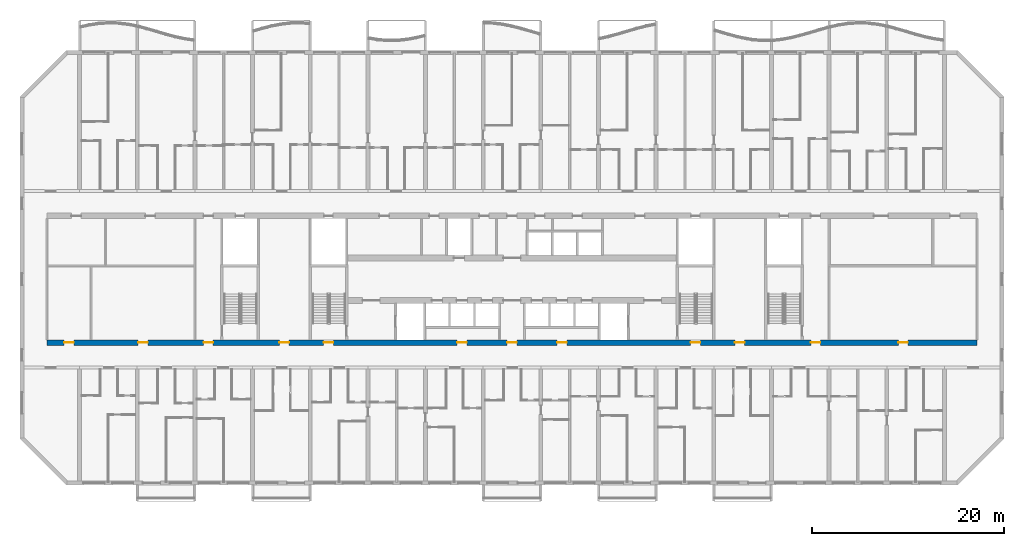
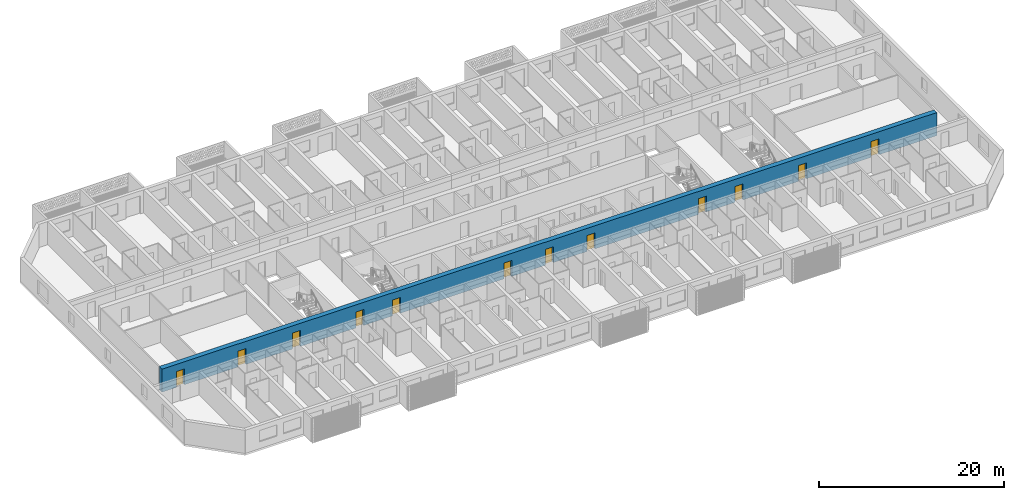
# One storey, part 7 of 40: 12 doors, 1 wall, 12 openings.
"""IFC4 building model written with IfcOpenShell, lengths in metres."""

from ifc_helpers import new_model, si_unit, direction, frame, frame_2d, origin, place, context, subcontext, project, spatial, rectangle, extrude, material, layer, layer_set, type_object, element, fill, save


model = new_model("IFC4")

# Units and contexts
model_context = context("Model", 3, precision=1e-05, world=origin(), true_north=direction((0.0, 1.0)))
body_context = subcontext(model_context, "Body", "Model", "MODEL_VIEW")
ifc_project = project(units=[si_unit("LENGTHUNIT", "METRE"), si_unit("AREAUNIT", "SQUARE_METRE"), si_unit("VOLUMEUNIT", "CUBIC_METRE"), si_unit("PLANEANGLEUNIT", "RADIAN"), si_unit("MASSUNIT", "GRAM", prefix="KILO")], contexts=[model_context])

# Site, building, storey
site_placement = place(None, origin())
site = spatial("IfcSite", under=ifc_project, at=site_placement, CompositionType="ELEMENT")
building_placement = place(site_placement, origin())
building = spatial("IfcBuilding", under=site, at=building_placement, Name="Poui Terraces", CompositionType="ELEMENT")
storey_placement = place(building_placement, frame((0.0, 0.0, 36.60009765625)))
storey = spatial("IfcBuildingStorey", under=building, at=storey_placement, Name="L09", CompositionType="ELEMENT", Elevation=36.60009765625)

# Wall, openings, doors
ifc_material_1 = material(Name="Concrete 80 MPa", Category="concrete")
ifc_layer = layer(ifc_material_1, 0.60009765625)
ifc_layer_set = layer_set([ifc_layer], Name="Concrete 80 MPa")
wall_type = type_object("IfcWallType", Name="SPINE WALL 600 80 MPA", PredefinedType="SOLIDWALL", material=ifc_layer_set)
wall_placement = place(storey_placement, frame((2.60009765625, 14.60009765625, 0.0), z_axis=(0.0, 0.0, 1.0), x_axis=(1.0, 0.0, 0.0)))
wall = element("IfcWall", 1, at=wall_placement, inside=storey, type_object=wall_type, Name="SPINE WALL", PredefinedType="SOLIDWALL", context=body_context, shape_type="SweptSolid", body=[
    extrude(rectangle(XDim=96.7998046875, YDim=0.60009765625, at=frame_2d((48.39990234375, 0.0))), origin(), (0.0, 0.0, 1.0), 3.0498046875),
])
opening_1_placement = place(wall_placement, frame((1.800048828125, 0.0, 0.0)))
opening_1 = element("IfcOpeningElement", 2, at=opening_1_placement, cuts=wall, Name="Opening FD60", PredefinedType="OPENING", context=body_context, shape_type="SweptSolid", body=[
    extrude(rectangle(XDim=1.0, YDim=2.10009765625, at=frame_2d((0.5, 1.050048828125))), frame((0.0, 0.31005859375, 0.0), z_axis=(0.0, -1.0, 0.0), x_axis=(1.0, 0.0, 0.0)), (0.0, 0.0, 1.0), 0.6201171875),
])
opening_2_placement = place(wall_placement, frame((9.5, 0.0, 0.0)))
opening_2 = element("IfcOpeningElement", 3, at=opening_2_placement, cuts=wall, Name="Opening FD60", PredefinedType="OPENING", context=body_context, shape_type="SweptSolid", body=[
    extrude(rectangle(XDim=1.0, YDim=2.10009765625, at=frame_2d((0.5, 1.050048828125))), frame((0.0, 0.31005859375, 0.0), z_axis=(0.0, -1.0, 0.0), x_axis=(1.0, 0.0, 0.0)), (0.0, 0.0, 1.0), 0.6201171875),
])
opening_3_placement = place(wall_placement, frame((16.300048828125, 0.0, 0.0)))
opening_3 = element("IfcOpeningElement", 4, at=opening_3_placement, cuts=wall, Name="Opening FDL", PredefinedType="OPENING", context=body_context, shape_type="SweptSolid", body=[
    extrude(rectangle(XDim=1.0, YDim=2.10009765625, at=frame_2d((0.5, 1.050048828125))), frame((0.0, 0.31005859375, 0.0), z_axis=(0.0, -1.0, 0.0), x_axis=(1.0, 0.0, 0.0)), (0.0, 0.0, 1.0), 0.6201171875),
])
opening_4_placement = place(wall_placement, frame((24.199951171875, 0.0, 0.0)))
opening_4 = element("IfcOpeningElement", 5, at=opening_4_placement, cuts=wall, Name="Opening D100", PredefinedType="OPENING", context=body_context, shape_type="SweptSolid", body=[
    extrude(rectangle(XDim=1.0, YDim=2.10009765625, at=frame_2d((0.5, 1.050048828125))), frame((0.0, 0.31005859375, 0.0), z_axis=(0.0, -1.0, 0.0), x_axis=(1.0, 0.0, 0.0)), (0.0, 0.0, 1.0), 0.6201171875),
])
opening_5_placement = place(wall_placement, frame((28.800048828125, 0.0, 0.0)))
opening_5 = element("IfcOpeningElement", 6, at=opening_5_placement, cuts=wall, Name="Opening FD60S", PredefinedType="OPENING", context=body_context, shape_type="SweptSolid", body=[
    extrude(rectangle(XDim=1.0, YDim=2.10009765625, at=frame_2d((0.5, 1.050048828125))), frame((0.0, 0.31005859375, 0.0), z_axis=(0.0, -1.0, 0.0), x_axis=(1.0, 0.0, 0.0)), (0.0, 0.0, 1.0), 0.6201171875),
])
opening_6_placement = place(wall_placement, frame((42.699951171875, 0.0, 0.0)))
opening_6 = element("IfcOpeningElement", 7, at=opening_6_placement, cuts=wall, Name="Opening FD60", PredefinedType="OPENING", context=body_context, shape_type="SweptSolid", body=[
    extrude(rectangle(XDim=1.0, YDim=2.10009765625, at=frame_2d((0.5, 1.050048828125))), frame((0.0, 0.31005859375, 0.0), z_axis=(0.0, -1.0, 0.0), x_axis=(1.0, 0.0, 0.0)), (0.0, 0.0, 1.0), 0.6201171875),
])
opening_7_placement = place(wall_placement, frame((47.89990234375, 0.0, 0.0)))
opening_7 = element("IfcOpeningElement", 8, at=opening_7_placement, cuts=wall, Name="Opening FDL", PredefinedType="OPENING", context=body_context, shape_type="SweptSolid", body=[
    extrude(rectangle(XDim=1.0, YDim=2.10009765625, at=frame_2d((0.5, 1.050048828125))), frame((0.0, 0.31005859375, 0.0), z_axis=(0.0, -1.0, 0.0), x_axis=(1.0, 0.0, 0.0)), (0.0, 0.0, 1.0), 0.6201171875),
])
opening_8_placement = place(wall_placement, frame((53.10009765625, 0.0, 0.0)))
opening_8 = element("IfcOpeningElement", 9, at=opening_8_placement, cuts=wall, Name="Opening FD60", PredefinedType="OPENING", context=body_context, shape_type="SweptSolid", body=[
    extrude(rectangle(XDim=1.0, YDim=2.10009765625, at=frame_2d((0.5, 1.050048828125))), frame((0.0, 0.31005859375, 0.0), z_axis=(0.0, -1.0, 0.0), x_axis=(1.0, 0.0, 0.0)), (0.0, 0.0, 1.0), 0.6201171875),
])
opening_9_placement = place(wall_placement, frame((67.0, 0.0, 0.0)))
opening_9 = element("IfcOpeningElement", 10, at=opening_9_placement, cuts=wall, Name="Opening FD60S", PredefinedType="OPENING", context=body_context, shape_type="SweptSolid", body=[
    extrude(rectangle(XDim=1.0, YDim=2.10009765625, at=frame_2d((0.5, 1.050048828125))), frame((0.0, 0.31005859375, 0.0), z_axis=(0.0, -1.0, 0.0), x_axis=(1.0, 0.0, 0.0)), (0.0, 0.0, 1.0), 0.6201171875),
])
opening_10_placement = place(wall_placement, frame((71.60009765625, 0.0, 0.0)))
opening_10 = element("IfcOpeningElement", 11, at=opening_10_placement, cuts=wall, Name="Opening D100", PredefinedType="OPENING", context=body_context, shape_type="SweptSolid", body=[
    extrude(rectangle(XDim=1.0, YDim=2.10009765625, at=frame_2d((0.5, 1.050048828125))), frame((0.0, 0.31005859375, 0.0), z_axis=(0.0, -1.0, 0.0), x_axis=(1.0, 0.0, 0.0)), (0.0, 0.0, 1.0), 0.6201171875),
])
opening_11_placement = place(wall_placement, frame((79.5, 0.0, 0.0)))
opening_11 = element("IfcOpeningElement", 12, at=opening_11_placement, cuts=wall, Name="Opening FDL", PredefinedType="OPENING", context=body_context, shape_type="SweptSolid", body=[
    extrude(rectangle(XDim=1.0, YDim=2.10009765625, at=frame_2d((0.5, 1.050048828125))), frame((0.0, 0.31005859375, 0.0), z_axis=(0.0, -1.0, 0.0), x_axis=(1.0, 0.0, 0.0)), (0.0, 0.0, 1.0), 0.6201171875),
])
opening_12_placement = place(wall_placement, frame((88.60009765625, 0.0, 0.0)))
opening_12 = element("IfcOpeningElement", 13, at=opening_12_placement, cuts=wall, Name="Opening FD60", PredefinedType="OPENING", context=body_context, shape_type="SweptSolid", body=[
    extrude(rectangle(XDim=1.0, YDim=2.10009765625, at=frame_2d((0.5, 1.050048828125))), frame((0.0, 0.31005859375, 0.0), z_axis=(0.0, -1.0, 0.0), x_axis=(1.0, 0.0, 0.0)), (0.0, 0.0, 1.0), 0.6201171875),
])
ifc_material_2 = material(Name="Solid core timber door", Category="wood")
door_type_1 = type_object("IfcDoorType", Name="ACCESSIBLE INTERNAL DOOR 1000 X 2100", OperationType="NOTDEFINED", PredefinedType="DOOR", material=ifc_material_2)
door_1_placement = place(opening_4_placement, frame((1.0, 0.0, 0.0), z_axis=(0.0, 0.0, 1.0), x_axis=(-1.0, 0.0, 0.0)))
door_1 = element("IfcDoor", 14, at=door_1_placement, inside=storey, type_object=door_type_1, Name="ACCESSIBLE INTERNAL DOOR 021", OperationType="SINGLE_SWING_LEFT", OverallHeight=2.10009765625, OverallWidth=1.0, PredefinedType="DOOR", context=body_context, shape_type="SweptSolid", body=[
    extrude(rectangle(XDim=1.0, YDim=2.10009765625, at=frame_2d((0.5, 1.050048828125))), frame((0.0, 0.02490234375, 0.0), z_axis=(0.0, -1.0, 0.0), x_axis=(1.0, 0.0, 0.0)), (0.0, 0.0, 1.0), 0.050048828125),
])
fill(opening_4, door_1)
door_2_placement = place(opening_10_placement, frame((1.0, 0.0, 0.0), z_axis=(0.0, 0.0, 1.0), x_axis=(-1.0, 0.0, 0.0)))
door_2 = element("IfcDoor", 15, at=door_2_placement, inside=storey, type_object=door_type_1, Name="ACCESSIBLE INTERNAL DOOR 027", OperationType="SINGLE_SWING_RIGHT", OverallHeight=2.10009765625, OverallWidth=1.0, PredefinedType="DOOR", context=body_context, shape_type="SweptSolid", body=[
    extrude(rectangle(XDim=1.0, YDim=2.10009765625, at=frame_2d((0.5, 1.050048828125))), frame((0.0, 0.02490234375, 0.0), z_axis=(0.0, -1.0, 0.0), x_axis=(1.0, 0.0, 0.0)), (0.0, 0.0, 1.0), 0.050048828125),
])
fill(opening_10, door_2)
ifc_material_3 = material(Name="Steel fire door", Category="steel")
door_type_2 = type_object("IfcDoorType", Name="LOBBY FIRE DOOR 1000 X 2100", OperationType="NOTDEFINED", PredefinedType="DOOR", material=ifc_material_3)
door_3_placement = place(opening_3_placement, frame((1.0, 0.0, 0.0), z_axis=(0.0, 0.0, 1.0), x_axis=(-1.0, 0.0, 0.0)))
door_3 = element("IfcDoor", 16, at=door_3_placement, inside=storey, type_object=door_type_2, Name="LOBBY FIRE DOOR 020", OperationType="SINGLE_SWING_RIGHT", OverallHeight=2.10009765625, OverallWidth=1.0, PredefinedType="DOOR", context=body_context, shape_type="SweptSolid", body=[
    extrude(rectangle(XDim=1.0, YDim=2.10009765625, at=frame_2d((0.5, 1.050048828125))), frame((0.0, 0.02490234375, 0.0), z_axis=(0.0, -1.0, 0.0), x_axis=(1.0, 0.0, 0.0)), (0.0, 0.0, 1.0), 0.050048828125),
])
fill(opening_3, door_3)
door_4_placement = place(opening_7_placement, frame((1.0, 0.0, 0.0), z_axis=(0.0, 0.0, 1.0), x_axis=(-1.0, 0.0, 0.0)))
door_4 = element("IfcDoor", 17, at=door_4_placement, inside=storey, type_object=door_type_2, Name="LOBBY FIRE DOOR 024", OperationType="SINGLE_SWING_LEFT", OverallHeight=2.10009765625, OverallWidth=1.0, PredefinedType="DOOR", context=body_context, shape_type="SweptSolid", body=[
    extrude(rectangle(XDim=1.0, YDim=2.10009765625, at=frame_2d((0.5, 1.050048828125))), frame((0.0, 0.02490234375, 0.0), z_axis=(0.0, -1.0, 0.0), x_axis=(1.0, 0.0, 0.0)), (0.0, 0.0, 1.0), 0.050048828125),
])
fill(opening_7, door_4)
door_5_placement = place(opening_11_placement, frame((1.0, 0.0, 0.0), z_axis=(0.0, 0.0, 1.0), x_axis=(-1.0, 0.0, 0.0)))
door_5 = element("IfcDoor", 18, at=door_5_placement, inside=storey, type_object=door_type_2, Name="LOBBY FIRE DOOR 028", OperationType="SINGLE_SWING_LEFT", OverallHeight=2.10009765625, OverallWidth=1.0, PredefinedType="DOOR", context=body_context, shape_type="SweptSolid", body=[
    extrude(rectangle(XDim=1.0, YDim=2.10009765625, at=frame_2d((0.5, 1.050048828125))), frame((0.0, 0.02490234375, 0.0), z_axis=(0.0, -1.0, 0.0), x_axis=(1.0, 0.0, 0.0)), (0.0, 0.0, 1.0), 0.050048828125),
])
fill(opening_11, door_5)
door_type_3 = type_object("IfcDoorType", Name="SERVICE ROOM FIRE DOOR 1000 X 2100", OperationType="NOTDEFINED", PredefinedType="DOOR", material=ifc_material_3)
door_6_placement = place(opening_1_placement, frame((1.0, 0.0, 0.0), z_axis=(0.0, 0.0, 1.0), x_axis=(-1.0, 0.0, 0.0)))
door_6 = element("IfcDoor", 19, at=door_6_placement, inside=storey, type_object=door_type_3, Name="SERVICE ROOM FIRE DOOR 018", OperationType="SINGLE_SWING_LEFT", OverallHeight=2.10009765625, OverallWidth=1.0, PredefinedType="DOOR", context=body_context, shape_type="SweptSolid", body=[
    extrude(rectangle(XDim=1.0, YDim=2.10009765625, at=frame_2d((0.5, 1.050048828125))), frame((0.0, 0.02490234375, 0.0), z_axis=(0.0, -1.0, 0.0), x_axis=(1.0, 0.0, 0.0)), (0.0, 0.0, 1.0), 0.050048828125),
])
fill(opening_1, door_6)
door_7_placement = place(opening_2_placement, frame((1.0, 0.0, 0.0), z_axis=(0.0, 0.0, 1.0), x_axis=(-1.0, 0.0, 0.0)))
door_7 = element("IfcDoor", 20, at=door_7_placement, inside=storey, type_object=door_type_3, Name="SERVICE ROOM FIRE DOOR 019", OperationType="SINGLE_SWING_RIGHT", OverallHeight=2.10009765625, OverallWidth=1.0, PredefinedType="DOOR", context=body_context, shape_type="SweptSolid", body=[
    extrude(rectangle(XDim=1.0, YDim=2.10009765625, at=frame_2d((0.5, 1.050048828125))), frame((0.0, 0.02490234375, 0.0), z_axis=(0.0, -1.0, 0.0), x_axis=(1.0, 0.0, 0.0)), (0.0, 0.0, 1.0), 0.050048828125),
])
fill(opening_2, door_7)
door_8_placement = place(opening_6_placement, frame((1.0, 0.0, 0.0), z_axis=(0.0, 0.0, 1.0), x_axis=(-1.0, 0.0, 0.0)))
door_8 = element("IfcDoor", 21, at=door_8_placement, inside=storey, type_object=door_type_3, Name="SERVICE ROOM FIRE DOOR 023", OperationType="SINGLE_SWING_LEFT", OverallHeight=2.10009765625, OverallWidth=1.0, PredefinedType="DOOR", context=body_context, shape_type="SweptSolid", body=[
    extrude(rectangle(XDim=1.0, YDim=2.10009765625, at=frame_2d((0.5, 1.050048828125))), frame((0.0, 0.02490234375, 0.0), z_axis=(0.0, -1.0, 0.0), x_axis=(1.0, 0.0, 0.0)), (0.0, 0.0, 1.0), 0.050048828125),
])
fill(opening_6, door_8)
door_9_placement = place(opening_8_placement, frame((1.0, 0.0, 0.0), z_axis=(0.0, 0.0, 1.0), x_axis=(-1.0, 0.0, 0.0)))
door_9 = element("IfcDoor", 22, at=door_9_placement, inside=storey, type_object=door_type_3, Name="SERVICE ROOM FIRE DOOR 025", OperationType="SINGLE_SWING_RIGHT", OverallHeight=2.10009765625, OverallWidth=1.0, PredefinedType="DOOR", context=body_context, shape_type="SweptSolid", body=[
    extrude(rectangle(XDim=1.0, YDim=2.10009765625, at=frame_2d((0.5, 1.050048828125))), frame((0.0, 0.02490234375, 0.0), z_axis=(0.0, -1.0, 0.0), x_axis=(1.0, 0.0, 0.0)), (0.0, 0.0, 1.0), 0.050048828125),
])
fill(opening_8, door_9)
door_10_placement = place(opening_12_placement, frame((1.0, 0.0, 0.0), z_axis=(0.0, 0.0, 1.0), x_axis=(-1.0, 0.0, 0.0)))
door_10 = element("IfcDoor", 23, at=door_10_placement, inside=storey, type_object=door_type_3, Name="SERVICE ROOM FIRE DOOR 029", OperationType="SINGLE_SWING_LEFT", OverallHeight=2.10009765625, OverallWidth=1.0, PredefinedType="DOOR", context=body_context, shape_type="SweptSolid", body=[
    extrude(rectangle(XDim=1.0, YDim=2.10009765625, at=frame_2d((0.5, 1.050048828125))), frame((0.0, 0.02490234375, 0.0), z_axis=(0.0, -1.0, 0.0), x_axis=(1.0, 0.0, 0.0)), (0.0, 0.0, 1.0), 0.050048828125),
])
fill(opening_12, door_10)
door_type_4 = type_object("IfcDoorType", Name="STAIR DOOR 1000 X 2100", OperationType="NOTDEFINED", PredefinedType="DOOR", material=ifc_material_3)
door_11_placement = place(opening_5_placement, origin())
door_11 = element("IfcDoor", 24, at=door_11_placement, inside=storey, type_object=door_type_4, Name="STAIR DOOR 022", OperationType="SINGLE_SWING_RIGHT", OverallHeight=2.10009765625, OverallWidth=1.0, PredefinedType="DOOR", context=body_context, shape_type="SweptSolid", body=[
    extrude(rectangle(XDim=1.0, YDim=2.10009765625, at=frame_2d((0.5, 1.050048828125))), frame((0.0, 0.02490234375, 0.0), z_axis=(0.0, -1.0, 0.0), x_axis=(1.0, 0.0, 0.0)), (0.0, 0.0, 1.0), 0.050048828125),
])
fill(opening_5, door_11)
door_12_placement = place(opening_9_placement, origin())
door_12 = element("IfcDoor", 25, at=door_12_placement, inside=storey, type_object=door_type_4, Name="STAIR DOOR 026", OperationType="SINGLE_SWING_RIGHT", OverallHeight=2.10009765625, OverallWidth=1.0, PredefinedType="DOOR", context=body_context, shape_type="SweptSolid", body=[
    extrude(rectangle(XDim=1.0, YDim=2.10009765625, at=frame_2d((0.5, 1.050048828125))), frame((0.0, 0.02490234375, 0.0), z_axis=(0.0, -1.0, 0.0), x_axis=(1.0, 0.0, 0.0)), (0.0, 0.0, 1.0), 0.050048828125),
])
fill(opening_9, door_12)

save(model, "model.ifc")
